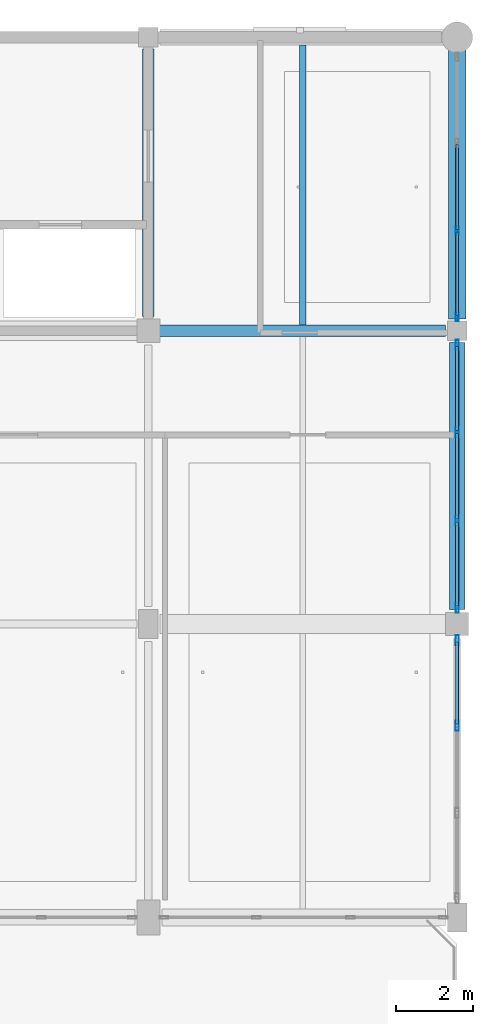
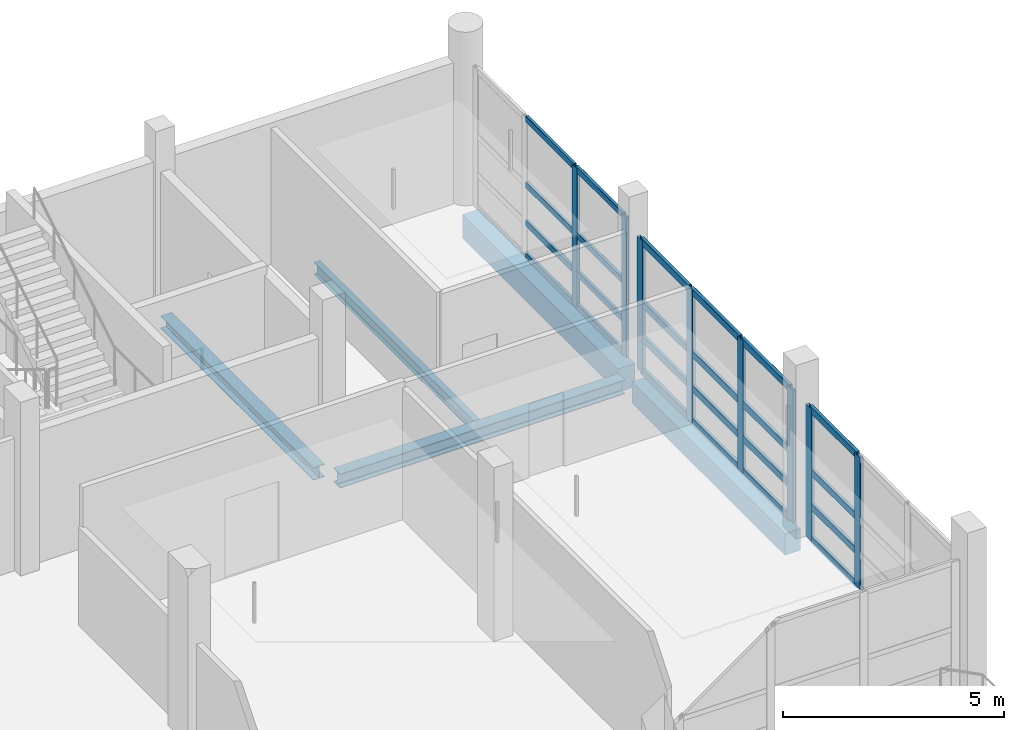
# One storey, part 69 of 141: 32 members, 5 beams, 3 elements without a shape of their own.
"""IFC4 building model written with IfcOpenShell, lengths in metres."""

from ifc_helpers import new_model, si_unit, direction, frame, origin, origin_2d, place, context, subcontext, project, spatial, rectangle, hollow_rectangle, i_section, extrude, material, material_profile, profile_set, type_object, element, aggregate, save


model = new_model("IFC4")

# Units and contexts
model_context = context("Model", 3, precision=1e-05, world=origin(), true_north=direction((0.0, 1.0)))
body_context = subcontext(model_context, "Body", "Model", "MODEL_VIEW")
ifc_project = project(units=[si_unit("LENGTHUNIT", "METRE"), si_unit("AREAUNIT", "SQUARE_METRE"), si_unit("VOLUMEUNIT", "CUBIC_METRE"), si_unit("PLANEANGLEUNIT", "RADIAN"), si_unit("MASSUNIT", "GRAM", prefix="KILO")], contexts=[model_context])

# Site, building, storey
site_placement = place(None, origin())
site = spatial("IfcSite", under=ifc_project, at=site_placement, CompositionType="ELEMENT")
building_placement = place(site_placement, origin())
building = spatial("IfcBuilding", under=site, at=building_placement, Name="Khelvaren Railside Concert Hall", CompositionType="ELEMENT")
storey_placement = place(building_placement, frame((0.0, 0.0, 10.199951171875)))
storey = spatial("IfcBuildingStorey", under=building, at=storey_placement, Name="L02", CompositionType="ELEMENT", Elevation=10.199951171875)

# Beams
ifc_material_1 = material(Name="Steel S355", Category="steel")
ifc_material_profile_1 = material_profile(ifc_material_1, i_section(OverallWidth=0.300048828125, OverallDepth=0.389892578125, WebThickness=0.010986328125, FlangeThickness=0.01904296875, FilletRadius=0.027099609375, at=origin_2d()), Name="HEA 400")
ifc_profile_set_1 = profile_set([ifc_material_profile_1], Name="Steel S355")
beam_type_1 = type_object("IfcBeamType", Name="BM23", PredefinedType="BEAM", material=ifc_profile_set_1)
beam_1_placement = place(storey_placement, frame((176.25, 106.39990234375, -0.48486328125), z_axis=(1.0, 0.0, 0.0), x_axis=(0.0, 1.0, 0.0)))
element("IfcBeam", 1, at=beam_1_placement, inside=storey, type_object=beam_type_1, Name="V5 L02 Beam X4.7", PredefinedType="BEAM", context=body_context, shape_type="SweptSolid", body=[
    extrude(i_section(OverallWidth=0.300048828125, OverallDepth=0.389892578125, WebThickness=0.010986328125, FlangeThickness=0.01904296875, FilletRadius=0.027099609375, at=origin_2d()), origin(), (0.0, 0.0, 1.0), 7.449951171875),
])
ifc_material_profile_2 = material_profile(ifc_material_1, i_section(OverallWidth=0.300048828125, OverallDepth=0.35009765625, WebThickness=0.010009765625, FlangeThickness=0.017578125, FilletRadius=0.027099609375, at=origin_2d()), Name="HEA 360")
ifc_profile_set_2 = profile_set([ifc_material_profile_2], Name="Steel S355")
beam_type_2 = type_object("IfcBeamType", Name="BM73", PredefinedType="BEAM", material=ifc_profile_set_2)
beam_2_placement = place(storey_placement, frame((176.0, 106.77490234375, -0.46484375), z_axis=(0.0, 1.0, 0.0), x_axis=(-1.0, 0.0, 0.0)))
element("IfcBeam", 2, at=beam_2_placement, inside=storey, type_object=beam_type_2, Name="V5 L02 Beam Y7.4", PredefinedType="BEAM", context=body_context, shape_type="SweptSolid", body=[
    extrude(i_section(OverallWidth=0.300048828125, OverallDepth=0.35009765625, WebThickness=0.010009765625, FlangeThickness=0.017578125, FilletRadius=0.027099609375, at=origin_2d()), origin(), (0.0, 0.0, 1.0), 6.925048828125),
])

# Curtain wall, members
ifc_material_2 = material(Name="Triple-glazed solar-control glass", Category="glass")
curtain_wall_type_1 = type_object("IfcCurtainWallType", Name="CW41", PredefinedType="USERDEFINED", material=ifc_material_2)
curtain_wall_1_placement = place(storey_placement, origin())
curtain_wall_1 = element("IfcCurtainWall", 3, at=curtain_wall_1_placement, inside=storey, type_object=curtain_wall_type_1, Name="Unitised Curtain Wall CW-V5-L02-E-106", ObjectType="UNITISED CURTAIN WALL", PredefinedType="USERDEFINED")
ifc_material_3 = material(Name="Anodised architectural aluminium 6063-T6", Category="aluminium")
ifc_material_profile_3 = material_profile(ifc_material_3, hollow_rectangle(XDim=0.074951171875, YDim=0.219970703125, WallThickness=0.0048828125, InnerFilletRadius=0.0029296875, OuterFilletRadius=0.0048828125, at=origin_2d()), Name="CWM 75x220x5")
ifc_profile_set_3 = profile_set([ifc_material_profile_3], Name="Anodised architectural aluminium 6063-T6")
member_type_1 = type_object("IfcMemberType", Name="CWM13", PredefinedType="MULLION", material=ifc_profile_set_3)
member_1_placement = place(storey_placement, frame((184.0, 108.99072265625, 0.0), z_axis=(0.0, 0.0, 1.0), x_axis=(1.0, 0.0, 0.0)))
member_1 = element("IfcMember", 4, at=member_1_placement, type_object=member_type_1, Name="CW41 mullion 3", PredefinedType="MULLION", context=body_context, shape_type="SweptSolid", body=[
    extrude(hollow_rectangle(XDim=0.074951171875, YDim=0.219970703125, WallThickness=0.0048828125, InnerFilletRadius=0.0029296875, OuterFilletRadius=0.0048828125, at=origin_2d()), origin(), (0.0, 0.0, 1.0), 3.860107421875),
])
member_2_placement = place(storey_placement, frame((184.0, 106.760009765625, 0.0), z_axis=(0.0, 0.0, 1.0), x_axis=(1.0, 0.0, 0.0)))
member_2 = element("IfcMember", 5, at=member_2_placement, type_object=member_type_1, Name="CW41 mullion 4", PredefinedType="MULLION", context=body_context, shape_type="SweptSolid", body=[
    extrude(hollow_rectangle(XDim=0.074951171875, YDim=0.219970703125, WallThickness=0.0048828125, InnerFilletRadius=0.0029296875, OuterFilletRadius=0.0048828125, at=origin_2d()), origin(), (0.0, 0.0, 1.0), 3.860107421875),
])

ifc_material_4 = material(Name="Acoustic laminated crystal facade glass", Category="glass")
curtain_wall_type_2 = type_object("IfcCurtainWallType", Name="CW15", PredefinedType="USERDEFINED", material=ifc_material_4)
curtain_wall_2_placement = place(storey_placement, origin())
curtain_wall_2 = element("IfcCurtainWall", 6, at=curtain_wall_2_placement, inside=storey, type_object=curtain_wall_type_2, Name="Unitised Curtain Wall CW-V5-L02-E-91", ObjectType="UNITISED CURTAIN WALL", PredefinedType="USERDEFINED")
ifc_material_profile_4 = material_profile(ifc_material_3, hollow_rectangle(XDim=0.0849609375, YDim=0.260009765625, WallThickness=0.0048828125, InnerFilletRadius=0.0029296875, OuterFilletRadius=0.0048828125, at=origin_2d()), Name="CWM 85x260x5")
ifc_profile_set_4 = profile_set([ifc_material_profile_4], Name="Anodised architectural aluminium 6063-T6")
member_type_2 = type_object("IfcMemberType", Name="CWM40", PredefinedType="MULLION", material=ifc_profile_set_4)
member_3_placement = place(storey_placement, frame((184.0, 98.3798828125, 0.0), z_axis=(0.0, 0.0, 1.0), x_axis=(1.0, 0.0, 0.0)))
member_3 = element("IfcMember", 7, at=member_3_placement, type_object=member_type_2, Name="CW15 mullion 1", PredefinedType="MULLION", context=body_context, shape_type="SweptSolid", body=[
    extrude(hollow_rectangle(XDim=0.0849609375, YDim=0.260009765625, WallThickness=0.0048828125, InnerFilletRadius=0.0029296875, OuterFilletRadius=0.0048828125, at=origin_2d()), origin(), (0.0, 0.0, 1.0), 3.66015625),
])
member_4_placement = place(storey_placement, frame((184.0, 96.165771484375, 0.0), z_axis=(0.0, 0.0, 1.0), x_axis=(1.0, 0.0, 0.0)))
member_4 = element("IfcMember", 8, at=member_4_placement, type_object=member_type_2, Name="CW15 mullion 2", PredefinedType="MULLION", context=body_context, shape_type="SweptSolid", body=[
    extrude(hollow_rectangle(XDim=0.0849609375, YDim=0.260009765625, WallThickness=0.0048828125, InnerFilletRadius=0.0029296875, OuterFilletRadius=0.0048828125, at=origin_2d()), origin(), (0.0, 0.0, 1.0), 3.66015625),
])

curtain_wall_type_3 = type_object("IfcCurtainWallType", Name="CW54", PredefinedType="USERDEFINED", material=ifc_material_4)
curtain_wall_3_placement = place(storey_placement, origin())
curtain_wall_3 = element("IfcCurtainWall", 9, at=curtain_wall_3_placement, inside=storey, type_object=curtain_wall_type_3, Name="Unitised Curtain Wall CW-V5-L02-E-99", ObjectType="UNITISED CURTAIN WALL", PredefinedType="USERDEFINED")
member_5_placement = place(storey_placement, frame((184.0, 106.030029296875, 0.0), z_axis=(0.0, 0.0, 1.0), x_axis=(1.0, 0.0, 0.0)))
member_5 = element("IfcMember", 10, at=member_5_placement, type_object=member_type_2, Name="CW54 mullion 1", PredefinedType="MULLION", context=body_context, shape_type="SweptSolid", body=[
    extrude(hollow_rectangle(XDim=0.0849609375, YDim=0.260009765625, WallThickness=0.0048828125, InnerFilletRadius=0.0029296875, OuterFilletRadius=0.0048828125, at=origin_2d()), origin(), (0.0, 0.0, 1.0), 3.66015625),
])
member_6_placement = place(storey_placement, frame((184.0, 103.774169921875, 0.0), z_axis=(0.0, 0.0, 1.0), x_axis=(1.0, 0.0, 0.0)))
member_6 = element("IfcMember", 11, at=member_6_placement, type_object=member_type_2, Name="CW54 mullion 2", PredefinedType="MULLION", context=body_context, shape_type="SweptSolid", body=[
    extrude(hollow_rectangle(XDim=0.0849609375, YDim=0.260009765625, WallThickness=0.0048828125, InnerFilletRadius=0.0029296875, OuterFilletRadius=0.0048828125, at=origin_2d()), origin(), (0.0, 0.0, 1.0), 3.66015625),
])
member_7_placement = place(storey_placement, frame((184.0, 101.475830078125, 0.0), z_axis=(0.0, 0.0, 1.0), x_axis=(1.0, 0.0, 0.0)))
member_7 = element("IfcMember", 12, at=member_7_placement, type_object=member_type_2, Name="CW54 mullion 3", PredefinedType="MULLION", context=body_context, shape_type="SweptSolid", body=[
    extrude(hollow_rectangle(XDim=0.0849609375, YDim=0.260009765625, WallThickness=0.0048828125, InnerFilletRadius=0.0029296875, OuterFilletRadius=0.0048828125, at=origin_2d()), origin(), (0.0, 0.0, 1.0), 3.66015625),
])
member_8_placement = place(storey_placement, frame((184.0, 99.219970703125, 0.0), z_axis=(0.0, 0.0, 1.0), x_axis=(1.0, 0.0, 0.0)))
member_8 = element("IfcMember", 13, at=member_8_placement, type_object=member_type_2, Name="CW54 mullion 4", PredefinedType="MULLION", context=body_context, shape_type="SweptSolid", body=[
    extrude(hollow_rectangle(XDim=0.0849609375, YDim=0.260009765625, WallThickness=0.0048828125, InnerFilletRadius=0.0029296875, OuterFilletRadius=0.0048828125, at=origin_2d()), origin(), (0.0, 0.0, 1.0), 3.66015625),
])

# Member
ifc_material_profile_5 = material_profile(ifc_material_3, hollow_rectangle(XDim=0.0849609375, YDim=0.18994140625, WallThickness=0.0048828125, InnerFilletRadius=0.0029296875, OuterFilletRadius=0.0048828125, at=origin_2d()), Name="CWT 85x190x5")
ifc_profile_set_5 = profile_set([ifc_material_profile_5], Name="Anodised architectural aluminium 6063-T6")
member_type_3 = type_object("IfcMemberType", Name="CWT31", PredefinedType="USERDEFINED", material=ifc_profile_set_5)
member_9_placement = place(storey_placement, frame((184.0, 98.33740234375, 0.04248046875), z_axis=(0.0, -1.0, 0.0), x_axis=(1.0, 0.0, 0.0)))
member_9 = element("IfcMember", 14, at=member_9_placement, type_object=member_type_3, Name="CW15 transom 1.1", ObjectType="TRANSOM", PredefinedType="USERDEFINED", context=body_context, shape_type="SweptSolid", body=[
    extrude(hollow_rectangle(XDim=0.0849609375, YDim=0.18994140625, WallThickness=0.0048828125, InnerFilletRadius=0.0029296875, OuterFilletRadius=0.0048828125, at=origin_2d()), origin(), (0.0, 0.0, 1.0), 2.129150390625),
])

member_10_placement = place(storey_placement, frame((184.0, 98.33740234375, 0.949951171875), z_axis=(0.0, -1.0, 0.0), x_axis=(1.0, 0.0, 0.0)))
member_10 = element("IfcMember", 15, at=member_10_placement, type_object=member_type_3, Name="CW15 transom 1.2", ObjectType="TRANSOM", PredefinedType="USERDEFINED", context=body_context, shape_type="SweptSolid", body=[
    extrude(hollow_rectangle(XDim=0.0849609375, YDim=0.18994140625, WallThickness=0.0048828125, InnerFilletRadius=0.0029296875, OuterFilletRadius=0.0048828125, at=origin_2d()), origin(), (0.0, 0.0, 1.0), 2.129150390625),
])

member_11_placement = place(storey_placement, frame((184.0, 98.33740234375, 1.9033203125), z_axis=(0.0, -1.0, 0.0), x_axis=(1.0, 0.0, 0.0)))
member_11 = element("IfcMember", 16, at=member_11_placement, type_object=member_type_3, Name="CW15 transom 1.3", ObjectType="TRANSOM", PredefinedType="USERDEFINED", context=body_context, shape_type="SweptSolid", body=[
    extrude(hollow_rectangle(XDim=0.0849609375, YDim=0.18994140625, WallThickness=0.0048828125, InnerFilletRadius=0.0029296875, OuterFilletRadius=0.0048828125, at=origin_2d()), origin(), (0.0, 0.0, 1.0), 2.129150390625),
])

member_12_placement = place(storey_placement, frame((184.0, 98.33740234375, 3.617431640625), z_axis=(0.0, -1.0, 0.0), x_axis=(1.0, 0.0, 0.0)))
member_12 = element("IfcMember", 17, at=member_12_placement, type_object=member_type_3, Name="CW15 transom 1.4", ObjectType="TRANSOM", PredefinedType="USERDEFINED", context=body_context, shape_type="SweptSolid", body=[
    extrude(hollow_rectangle(XDim=0.0849609375, YDim=0.18994140625, WallThickness=0.0048828125, InnerFilletRadius=0.0029296875, OuterFilletRadius=0.0048828125, at=origin_2d()), origin(), (0.0, 0.0, 1.0), 2.129150390625),
])

aggregate(curtain_wall_2, [member_3, member_4, member_9, member_10, member_11, member_12])

member_13_placement = place(storey_placement, frame((184.0, 105.987548828125, 0.04248046875), z_axis=(0.0, -1.0, 0.0), x_axis=(1.0, 0.0, 0.0)))
member_13 = element("IfcMember", 18, at=member_13_placement, type_object=member_type_3, Name="CW54 transom 1.1", ObjectType="TRANSOM", PredefinedType="USERDEFINED", context=body_context, shape_type="SweptSolid", body=[
    extrude(hollow_rectangle(XDim=0.0849609375, YDim=0.18994140625, WallThickness=0.0048828125, InnerFilletRadius=0.0029296875, OuterFilletRadius=0.0048828125, at=origin_2d()), origin(), (0.0, 0.0, 1.0), 2.1708984375),
])

member_14_placement = place(storey_placement, frame((184.0, 105.987548828125, 0.949951171875), z_axis=(0.0, -1.0, 0.0), x_axis=(1.0, 0.0, 0.0)))
member_14 = element("IfcMember", 19, at=member_14_placement, type_object=member_type_3, Name="CW54 transom 1.2", ObjectType="TRANSOM", PredefinedType="USERDEFINED", context=body_context, shape_type="SweptSolid", body=[
    extrude(hollow_rectangle(XDim=0.0849609375, YDim=0.18994140625, WallThickness=0.0048828125, InnerFilletRadius=0.0029296875, OuterFilletRadius=0.0048828125, at=origin_2d()), origin(), (0.0, 0.0, 1.0), 2.1708984375),
])

member_15_placement = place(storey_placement, frame((184.0, 105.987548828125, 1.9033203125), z_axis=(0.0, -1.0, 0.0), x_axis=(1.0, 0.0, 0.0)))
member_15 = element("IfcMember", 20, at=member_15_placement, type_object=member_type_3, Name="CW54 transom 1.3", ObjectType="TRANSOM", PredefinedType="USERDEFINED", context=body_context, shape_type="SweptSolid", body=[
    extrude(hollow_rectangle(XDim=0.0849609375, YDim=0.18994140625, WallThickness=0.0048828125, InnerFilletRadius=0.0029296875, OuterFilletRadius=0.0048828125, at=origin_2d()), origin(), (0.0, 0.0, 1.0), 2.1708984375),
])

member_16_placement = place(storey_placement, frame((184.0, 105.987548828125, 3.617431640625), z_axis=(0.0, -1.0, 0.0), x_axis=(1.0, 0.0, 0.0)))
member_16 = element("IfcMember", 21, at=member_16_placement, type_object=member_type_3, Name="CW54 transom 1.4", ObjectType="TRANSOM", PredefinedType="USERDEFINED", context=body_context, shape_type="SweptSolid", body=[
    extrude(hollow_rectangle(XDim=0.0849609375, YDim=0.18994140625, WallThickness=0.0048828125, InnerFilletRadius=0.0029296875, OuterFilletRadius=0.0048828125, at=origin_2d()), origin(), (0.0, 0.0, 1.0), 2.1708984375),
])

member_17_placement = place(storey_placement, frame((184.0, 103.731689453125, 0.04248046875), z_axis=(0.0, -1.0, 0.0), x_axis=(1.0, 0.0, 0.0)))
member_17 = element("IfcMember", 22, at=member_17_placement, type_object=member_type_3, Name="CW54 transom 2.1", ObjectType="TRANSOM", PredefinedType="USERDEFINED", context=body_context, shape_type="SweptSolid", body=[
    extrude(hollow_rectangle(XDim=0.0849609375, YDim=0.18994140625, WallThickness=0.0048828125, InnerFilletRadius=0.0029296875, OuterFilletRadius=0.0048828125, at=origin_2d()), origin(), (0.0, 0.0, 1.0), 2.21337890625),
])

member_18_placement = place(storey_placement, frame((184.0, 103.731689453125, 0.949951171875), z_axis=(0.0, -1.0, 0.0), x_axis=(1.0, 0.0, 0.0)))
member_18 = element("IfcMember", 23, at=member_18_placement, type_object=member_type_3, Name="CW54 transom 2.2", ObjectType="TRANSOM", PredefinedType="USERDEFINED", context=body_context, shape_type="SweptSolid", body=[
    extrude(hollow_rectangle(XDim=0.0849609375, YDim=0.18994140625, WallThickness=0.0048828125, InnerFilletRadius=0.0029296875, OuterFilletRadius=0.0048828125, at=origin_2d()), origin(), (0.0, 0.0, 1.0), 2.21337890625),
])

member_19_placement = place(storey_placement, frame((184.0, 103.731689453125, 1.9033203125), z_axis=(0.0, -1.0, 0.0), x_axis=(1.0, 0.0, 0.0)))
member_19 = element("IfcMember", 24, at=member_19_placement, type_object=member_type_3, Name="CW54 transom 2.3", ObjectType="TRANSOM", PredefinedType="USERDEFINED", context=body_context, shape_type="SweptSolid", body=[
    extrude(hollow_rectangle(XDim=0.0849609375, YDim=0.18994140625, WallThickness=0.0048828125, InnerFilletRadius=0.0029296875, OuterFilletRadius=0.0048828125, at=origin_2d()), origin(), (0.0, 0.0, 1.0), 2.21337890625),
])

member_20_placement = place(storey_placement, frame((184.0, 103.731689453125, 3.617431640625), z_axis=(0.0, -1.0, 0.0), x_axis=(1.0, 0.0, 0.0)))
member_20 = element("IfcMember", 25, at=member_20_placement, type_object=member_type_3, Name="CW54 transom 2.4", ObjectType="TRANSOM", PredefinedType="USERDEFINED", context=body_context, shape_type="SweptSolid", body=[
    extrude(hollow_rectangle(XDim=0.0849609375, YDim=0.18994140625, WallThickness=0.0048828125, InnerFilletRadius=0.0029296875, OuterFilletRadius=0.0048828125, at=origin_2d()), origin(), (0.0, 0.0, 1.0), 2.21337890625),
])

member_21_placement = place(storey_placement, frame((184.0, 101.433349609375, 0.04248046875), z_axis=(0.0, -1.0, 0.0), x_axis=(1.0, 0.0, 0.0)))
member_21 = element("IfcMember", 26, at=member_21_placement, type_object=member_type_3, Name="CW54 transom 3.1", ObjectType="TRANSOM", PredefinedType="USERDEFINED", context=body_context, shape_type="SweptSolid", body=[
    extrude(hollow_rectangle(XDim=0.0849609375, YDim=0.18994140625, WallThickness=0.0048828125, InnerFilletRadius=0.0029296875, OuterFilletRadius=0.0048828125, at=origin_2d()), origin(), (0.0, 0.0, 1.0), 2.1708984375),
])

member_22_placement = place(storey_placement, frame((184.0, 101.433349609375, 0.949951171875), z_axis=(0.0, -1.0, 0.0), x_axis=(1.0, 0.0, 0.0)))
member_22 = element("IfcMember", 27, at=member_22_placement, type_object=member_type_3, Name="CW54 transom 3.2", ObjectType="TRANSOM", PredefinedType="USERDEFINED", context=body_context, shape_type="SweptSolid", body=[
    extrude(hollow_rectangle(XDim=0.0849609375, YDim=0.18994140625, WallThickness=0.0048828125, InnerFilletRadius=0.0029296875, OuterFilletRadius=0.0048828125, at=origin_2d()), origin(), (0.0, 0.0, 1.0), 2.1708984375),
])

member_23_placement = place(storey_placement, frame((184.0, 101.433349609375, 1.9033203125), z_axis=(0.0, -1.0, 0.0), x_axis=(1.0, 0.0, 0.0)))
member_23 = element("IfcMember", 28, at=member_23_placement, type_object=member_type_3, Name="CW54 transom 3.3", ObjectType="TRANSOM", PredefinedType="USERDEFINED", context=body_context, shape_type="SweptSolid", body=[
    extrude(hollow_rectangle(XDim=0.0849609375, YDim=0.18994140625, WallThickness=0.0048828125, InnerFilletRadius=0.0029296875, OuterFilletRadius=0.0048828125, at=origin_2d()), origin(), (0.0, 0.0, 1.0), 2.1708984375),
])

member_24_placement = place(storey_placement, frame((184.0, 101.433349609375, 3.617431640625), z_axis=(0.0, -1.0, 0.0), x_axis=(1.0, 0.0, 0.0)))
member_24 = element("IfcMember", 29, at=member_24_placement, type_object=member_type_3, Name="CW54 transom 3.4", ObjectType="TRANSOM", PredefinedType="USERDEFINED", context=body_context, shape_type="SweptSolid", body=[
    extrude(hollow_rectangle(XDim=0.0849609375, YDim=0.18994140625, WallThickness=0.0048828125, InnerFilletRadius=0.0029296875, OuterFilletRadius=0.0048828125, at=origin_2d()), origin(), (0.0, 0.0, 1.0), 2.1708984375),
])

aggregate(curtain_wall_3, [member_5, member_6, member_7, member_8, member_13, member_14, member_15, member_16, member_17, member_18, member_19, member_20, member_21, member_22, member_23, member_24])

ifc_material_profile_6 = material_profile(ifc_material_3, hollow_rectangle(XDim=0.074951171875, YDim=0.1650390625, WallThickness=0.00390625, InnerFilletRadius=0.001953125, OuterFilletRadius=0.00390625, at=origin_2d()), Name="CWT 75x165x4")
ifc_profile_set_6 = profile_set([ifc_material_profile_6], Name="Anodised architectural aluminium 6063-T6")
member_type_4 = type_object("IfcMemberType", Name="CWT46", PredefinedType="USERDEFINED", material=ifc_profile_set_6)
member_25_placement = place(storey_placement, frame((184.0, 111.2216796875, 0.03759765625), z_axis=(0.0, -1.0, 0.0), x_axis=(1.0, 0.0, 0.0)))
member_25 = element("IfcMember", 30, at=member_25_placement, type_object=member_type_4, Name="CW41 transom 2.1", ObjectType="TRANSOM", PredefinedType="USERDEFINED", context=body_context, shape_type="SweptSolid", body=[
    extrude(hollow_rectangle(XDim=0.074951171875, YDim=0.1650390625, WallThickness=0.00390625, InnerFilletRadius=0.001953125, OuterFilletRadius=0.00390625, at=origin_2d()), origin(), (0.0, 0.0, 1.0), 2.193359375),
])

member_26_placement = place(storey_placement, frame((184.0, 111.2216796875, 0.949951171875), z_axis=(0.0, -1.0, 0.0), x_axis=(1.0, 0.0, 0.0)))
member_26 = element("IfcMember", 31, at=member_26_placement, type_object=member_type_4, Name="CW41 transom 2.2", ObjectType="TRANSOM", PredefinedType="USERDEFINED", context=body_context, shape_type="SweptSolid", body=[
    extrude(hollow_rectangle(XDim=0.074951171875, YDim=0.1650390625, WallThickness=0.00390625, InnerFilletRadius=0.001953125, OuterFilletRadius=0.00390625, at=origin_2d()), origin(), (0.0, 0.0, 1.0), 2.193359375),
])

member_27_placement = place(storey_placement, frame((184.0, 111.2216796875, 2.00732421875), z_axis=(0.0, -1.0, 0.0), x_axis=(1.0, 0.0, 0.0)))
member_27 = element("IfcMember", 32, at=member_27_placement, type_object=member_type_4, Name="CW41 transom 2.3", ObjectType="TRANSOM", PredefinedType="USERDEFINED", context=body_context, shape_type="SweptSolid", body=[
    extrude(hollow_rectangle(XDim=0.074951171875, YDim=0.1650390625, WallThickness=0.00390625, InnerFilletRadius=0.001953125, OuterFilletRadius=0.00390625, at=origin_2d()), origin(), (0.0, 0.0, 1.0), 2.193359375),
])

member_28_placement = place(storey_placement, frame((184.0, 111.2216796875, 3.822509765625), z_axis=(0.0, -1.0, 0.0), x_axis=(1.0, 0.0, 0.0)))
member_28 = element("IfcMember", 33, at=member_28_placement, type_object=member_type_4, Name="CW41 transom 2.4", ObjectType="TRANSOM", PredefinedType="USERDEFINED", context=body_context, shape_type="SweptSolid", body=[
    extrude(hollow_rectangle(XDim=0.074951171875, YDim=0.1650390625, WallThickness=0.00390625, InnerFilletRadius=0.001953125, OuterFilletRadius=0.00390625, at=origin_2d()), origin(), (0.0, 0.0, 1.0), 2.193359375),
])

member_29_placement = place(storey_placement, frame((184.0, 108.953369140625, 0.03759765625), z_axis=(0.0, -1.0, 0.0), x_axis=(1.0, 0.0, 0.0)))
member_29 = element("IfcMember", 34, at=member_29_placement, type_object=member_type_4, Name="CW41 transom 3.1", ObjectType="TRANSOM", PredefinedType="USERDEFINED", context=body_context, shape_type="SweptSolid", body=[
    extrude(hollow_rectangle(XDim=0.074951171875, YDim=0.1650390625, WallThickness=0.00390625, InnerFilletRadius=0.001953125, OuterFilletRadius=0.00390625, at=origin_2d()), origin(), (0.0, 0.0, 1.0), 2.15576171875),
])

member_30_placement = place(storey_placement, frame((184.0, 108.953369140625, 0.949951171875), z_axis=(0.0, -1.0, 0.0), x_axis=(1.0, 0.0, 0.0)))
member_30 = element("IfcMember", 35, at=member_30_placement, type_object=member_type_4, Name="CW41 transom 3.2", ObjectType="TRANSOM", PredefinedType="USERDEFINED", context=body_context, shape_type="SweptSolid", body=[
    extrude(hollow_rectangle(XDim=0.074951171875, YDim=0.1650390625, WallThickness=0.00390625, InnerFilletRadius=0.001953125, OuterFilletRadius=0.00390625, at=origin_2d()), origin(), (0.0, 0.0, 1.0), 2.15576171875),
])

member_31_placement = place(storey_placement, frame((184.0, 108.953369140625, 2.00732421875), z_axis=(0.0, -1.0, 0.0), x_axis=(1.0, 0.0, 0.0)))
member_31 = element("IfcMember", 36, at=member_31_placement, type_object=member_type_4, Name="CW41 transom 3.3", ObjectType="TRANSOM", PredefinedType="USERDEFINED", context=body_context, shape_type="SweptSolid", body=[
    extrude(hollow_rectangle(XDim=0.074951171875, YDim=0.1650390625, WallThickness=0.00390625, InnerFilletRadius=0.001953125, OuterFilletRadius=0.00390625, at=origin_2d()), origin(), (0.0, 0.0, 1.0), 2.15576171875),
])

member_32_placement = place(storey_placement, frame((184.0, 108.953369140625, 3.822509765625), z_axis=(0.0, -1.0, 0.0), x_axis=(1.0, 0.0, 0.0)))
member_32 = element("IfcMember", 37, at=member_32_placement, type_object=member_type_4, Name="CW41 transom 3.4", ObjectType="TRANSOM", PredefinedType="USERDEFINED", context=body_context, shape_type="SweptSolid", body=[
    extrude(hollow_rectangle(XDim=0.074951171875, YDim=0.1650390625, WallThickness=0.00390625, InnerFilletRadius=0.001953125, OuterFilletRadius=0.00390625, at=origin_2d()), origin(), (0.0, 0.0, 1.0), 2.15576171875),
])

aggregate(curtain_wall_1, [member_1, member_2, member_25, member_26, member_27, member_28, member_29, member_30, member_31, member_32])

# Beams
ifc_material_profile_7 = material_profile(ifc_material_1, i_section(OverallWidth=0.159912109375, OverallDepth=0.330078125, WebThickness=0.007568359375, FlangeThickness=0.011474609375, FilletRadius=0.01806640625, at=origin_2d()), Name="IPE 330")
ifc_profile_set_7 = profile_set([ifc_material_profile_7], Name="Steel S355")
beam_type_3 = type_object("IfcBeamType", Name="JS65", PredefinedType="JOIST", material=ifc_profile_set_7)
beam_3_placement = place(storey_placement, frame((180.0, 106.550048828125, -0.454833984375), z_axis=(0.0, 1.0, 0.0), x_axis=(-1.0, 0.0, 0.0)))
element("IfcBeam", 38, at=beam_3_placement, inside=storey, type_object=beam_type_3, Name="V5 L02 Secondary Joist 7.4", PredefinedType="JOIST", context=body_context, shape_type="SweptSolid", body=[
    extrude(i_section(OverallWidth=0.159912109375, OverallDepth=0.330078125, WebThickness=0.007568359375, FlangeThickness=0.011474609375, FilletRadius=0.01806640625, at=origin_2d()), origin(), (0.0, 0.0, 1.0), 7.25),
])
ifc_material_5 = material(Name="Concrete C40/50", Category="concrete")
ifc_material_profile_8 = material_profile(ifc_material_5, rectangle(XDim=0.449951171875, YDim=0.64990234375, at=origin_2d()), Name="RCB 450x650")
ifc_profile_set_8 = profile_set([ifc_material_profile_8], Name="Concrete C40/50")
beam_type_4 = type_object("IfcBeamType", Name="SP34", PredefinedType="SPANDREL", material=ifc_profile_set_8)
beam_4_placement = place(storey_placement, frame((184.0, 106.699951171875, -0.614990234375), z_axis=(0.0, 1.0, 0.0), x_axis=(-1.0, 0.0, 0.0)))
element("IfcBeam", 39, at=beam_4_placement, inside=storey, type_object=beam_type_4, Name="V5 L02 Spandrel Y8.4", PredefinedType="SPANDREL", context=body_context, shape_type="SweptSolid", body=[
    extrude(rectangle(XDim=0.449951171875, YDim=0.64990234375, at=origin_2d()), origin(), (0.0, 0.0, 1.0), 7.050048828125),
])
ifc_material_profile_9 = material_profile(ifc_material_5, rectangle(XDim=0.39990234375, YDim=0.60009765625, at=origin_2d()), Name="RCB 400x600")
ifc_profile_set_9 = profile_set([ifc_material_profile_9], Name="Concrete C40/50")
beam_type_5 = type_object("IfcBeamType", Name="SP75", PredefinedType="SPANDREL", material=ifc_profile_set_9)
beam_5_placement = place(storey_placement, frame((184.0, 99.175048828125, -0.58984375), z_axis=(0.0, 1.0, 0.0), x_axis=(-1.0, 0.0, 0.0)))
element("IfcBeam", 40, at=beam_5_placement, inside=storey, type_object=beam_type_5, Name="V5 L02 Spandrel Y8.3", PredefinedType="SPANDREL", context=body_context, shape_type="SweptSolid", body=[
    extrude(rectangle(XDim=0.39990234375, YDim=0.60009765625, at=origin_2d()), origin(), (0.0, 0.0, 1.0), 6.925048828125),
])

save(model, "model.ifc")
